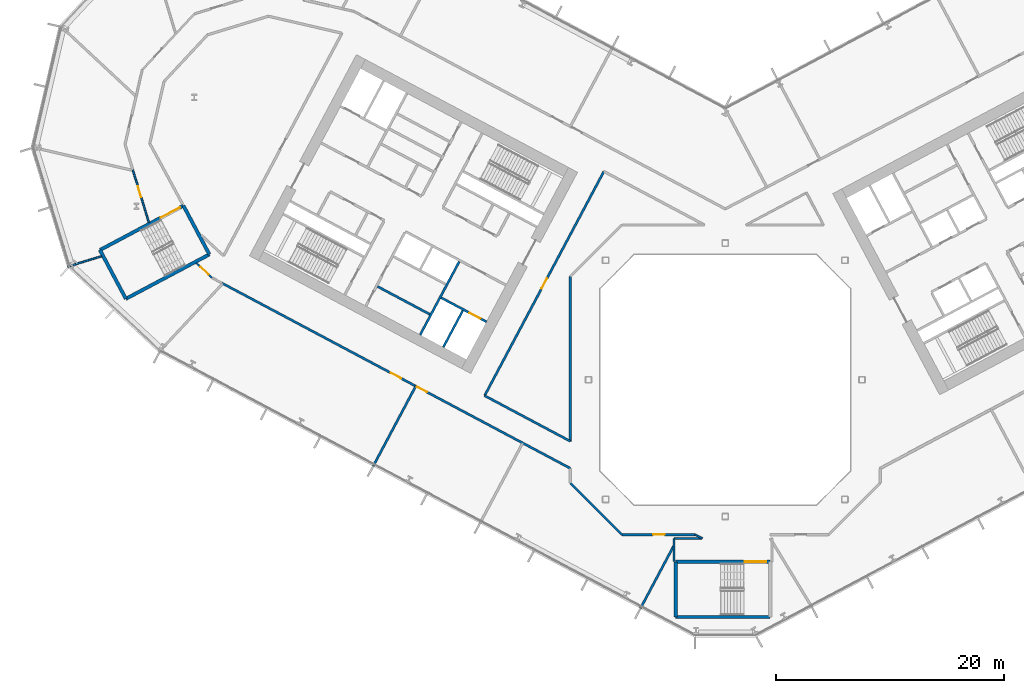
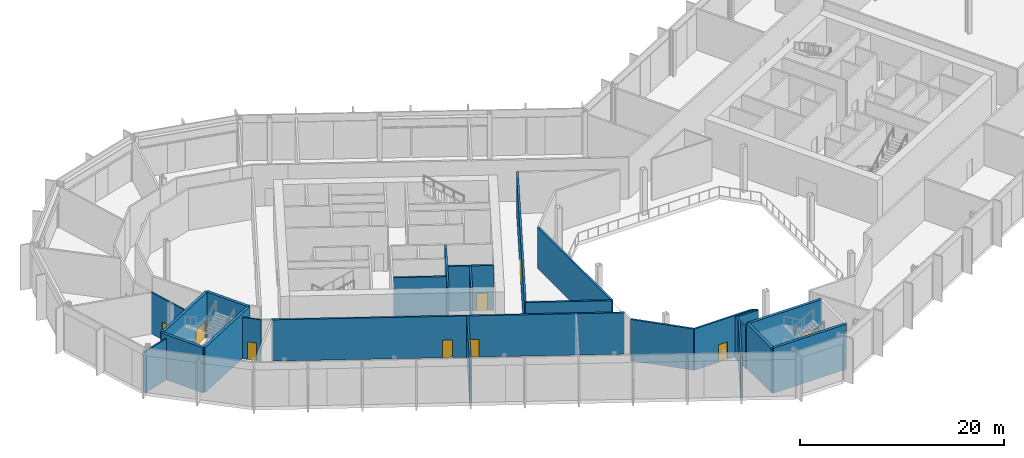
# One storey, part 12 of 31: 25 walls, 9 doors, 9 openings.
"""IFC4 building model written with IfcOpenShell, lengths in metres."""

from ifc_helpers import new_model, si_unit, direction, frame, frame_2d, origin, place, context, subcontext, project, spatial, rectangle, extrude, material, layer, layer_set, type_object, element, fill, save


model = new_model("IFC4")

# Units and contexts
model_context = context("Model", 3, precision=1e-05, world=origin(), true_north=direction((0.0, 1.0)))
body_context = subcontext(model_context, "Body", "Model", "MODEL_VIEW")
ifc_project = project(units=[si_unit("LENGTHUNIT", "METRE"), si_unit("AREAUNIT", "SQUARE_METRE"), si_unit("VOLUMEUNIT", "CUBIC_METRE"), si_unit("PLANEANGLEUNIT", "RADIAN"), si_unit("MASSUNIT", "GRAM", prefix="KILO")], contexts=[model_context])

# Site, building, storey
site_placement = place(None, origin())
site = spatial("IfcSite", under=ifc_project, at=site_placement, CompositionType="ELEMENT")
building_placement = place(site_placement, origin())
building = spatial("IfcBuilding", under=site, at=building_placement, Name="Cormorant Relay Tower", CompositionType="ELEMENT")
storey_placement = place(building_placement, frame((0.0, 0.0, 23.0)))
storey = spatial("IfcBuildingStorey", under=building, at=storey_placement, Name="L04", CompositionType="ELEMENT", Elevation=23.0)

# Walls
ifc_material_1 = material(Name="Concrete 40 MPa", Category="concrete")
ifc_layer_1 = layer(ifc_material_1, 0.199951171875)
ifc_layer_set_1 = layer_set([ifc_layer_1], Name="Core internal wall 200")
wall_type_1 = type_object("IfcWallType", Name="Core internal wall 200", PredefinedType="SOLIDWALL", material=ifc_layer_set_1)
wall_1_placement = place(storey_placement, frame((-25.936767578125, 5.74951171875, 0.0), z_axis=(0.0, 0.0, 1.0), x_axis=(-0.882934506056, 0.469496174655, 0.0)))
element("IfcWall", 1, at=wall_1_placement, inside=storey, type_object=wall_type_1, Name="L04 core A shaft and room wall", PredefinedType="SOLIDWALL", context=body_context, shape_type="SweptSolid", body=[
    extrude(rectangle(XDim=5.199951171875, YDim=0.199951171875, at=frame_2d((2.60009765625, 0.0))), origin(), (0.0, 0.0, 1.0), 5.39990234375),
])
ifc_material_2 = material(Name="Concrete 50 MPa", Category="concrete")
ifc_layer_2 = layer(ifc_material_2, 0.199951171875)
ifc_layer_set_2 = layer_set([ifc_layer_2], Name="Core shaft wall 200")
wall_type_2 = type_object("IfcWallType", Name="Core shaft wall 200", PredefinedType="SHEAR", material=ifc_layer_set_2)
wall_2_placement = place(storey_placement, frame((-23.04296875, 6.07958984375, 0.0), z_axis=(0.0, 0.0, 1.0), x_axis=(-0.469494272526, -0.882935517501, 0.0)))
element("IfcWall", 2, at=wall_2_placement, inside=storey, type_object=wall_type_2, Name="L04 core A shaft wall", PredefinedType="SHEAR", context=body_context, shape_type="SweptSolid", body=[
    extrude(rectangle(XDim=3.64990234375, YDim=0.199951171875, at=frame_2d((1.824951171875, 0.0))), origin(), (0.0, 0.0, 1.0), 5.39990234375),
])
wall_3_placement = place(storey_placement, frame((-23.360107421875, 10.38232421875, 0.0), z_axis=(0.0, 0.0, 1.0), x_axis=(-0.469480409012, -0.88294288918, 0.0)))
element("IfcWall", 3, at=wall_3_placement, inside=storey, type_object=wall_type_2, Name="L04 core A shaft wall", PredefinedType="SHEAR", context=body_context, shape_type="SweptSolid", body=[
    extrude(rectangle(XDim=7.300048828125, YDim=0.199951171875, at=frame_2d((3.64990234375, 0.0))), origin(), (0.0, 0.0, 1.0), 5.39990234375),
])

# Wall, opening, door
wall_4_placement = place(storey_placement, frame((-20.96533203125, 5.088134765625, 0.0), z_axis=(0.0, 0.0, 1.0), x_axis=(-0.882925986334, 0.469512196493, 0.0)))
wall_4 = element("IfcWall", 4, at=wall_4_placement, inside=storey, type_object=wall_type_2, Name="L04 core A shaft wall", PredefinedType="SHEAR", context=body_context, shape_type="SweptSolid", body=[
    extrude(rectangle(XDim=4.5, YDim=0.199951171875, at=frame_2d((2.25, 0.0))), origin(), (0.0, 0.0, 1.0), 5.39990234375),
])
opening_1_placement = place(wall_4_placement, frame((0.60009765625, 0.0, 0.0)))
opening_1 = element("IfcOpeningElement", 5, at=opening_1_placement, cuts=wall_4, Name="Opening LD1-019", PredefinedType="OPENING", context=body_context, shape_type="SweptSolid", body=[
    extrude(rectangle(XDim=1.10009765625, YDim=2.10009765625, at=frame_2d((0.550048828125, 1.050048828125))), frame((0.0, 0.10986328125, 0.0), z_axis=(0.0, -1.0, 0.0), x_axis=(1.0, 0.0, 0.0)), (0.0, 0.0, 1.0), 0.219970703125),
])
ifc_material_3 = material(Name="Stainless steel 316", Category="steel")
door_type_1 = type_object("IfcDoorType", Name="Lift landing door 1100x2100", OperationType="DOUBLE_DOOR_SLIDING", PredefinedType="DOOR", material=ifc_material_3)
door_1_placement = place(opening_1_placement, origin())
door_1 = element("IfcDoor", 6, at=door_1_placement, inside=storey, type_object=door_type_1, Name="FF1 landing door", OperationType="DOUBLE_DOOR_SLIDING", OverallHeight=2.10009765625, OverallWidth=1.10009765625, PredefinedType="DOOR", context=body_context, shape_type="SweptSolid", body=[
    extrude(rectangle(XDim=1.10009765625, YDim=2.10009765625, at=frame_2d((0.550048828125, 1.050048828125))), frame((0.0, 0.02490234375, 0.0), z_axis=(0.0, -1.0, 0.0), x_axis=(1.0, 0.0, 0.0)), (0.0, 0.0, 1.0), 0.050048828125),
])
fill(opening_1, door_1)

# Wall
ifc_material_4 = material(Name="Fire-rated gypsum board partition")
ifc_layer_3 = layer(ifc_material_4, 0.199951171875)
ifc_layer_set_3 = layer_set([ifc_layer_3], Name="Fire-rated gypsum partition 200")
wall_type_3 = type_object("IfcWallType", Name="Fire-rated gypsum partition 200", PredefinedType="PARTITIONING", material=ifc_layer_set_3)
wall_5_placement = place(storey_placement, frame((-27.176025390625, -0.556884765625, 0.0), z_axis=(0.0, 0.0, 1.0), x_axis=(-0.469551855795, -0.882904895625, 0.0)))
element("IfcWall", 7, at=wall_5_placement, inside=storey, type_object=wall_type_3, Name="wall/L04/part/11", PredefinedType="PARTITIONING", context=body_context, shape_type="SweptSolid", body=[
    extrude(rectangle(XDim=7.949951171875, YDim=0.199951171875, at=frame_2d((3.97509765625, 0.0))), origin(), (0.0, 0.0, 1.0), 4.949951171875),
])

# Wall, openings, doors
wall_6_placement = place(storey_placement, frame((-13.60009765625, -7.77490234375, 0.0), z_axis=(0.0, 0.0, 1.0), x_axis=(-0.882943264249, 0.469479703626, 0.0)))
wall_6 = element("IfcWall", 8, at=wall_6_placement, inside=storey, type_object=wall_type_3, Name="wall/L04/part/24", PredefinedType="PARTITIONING", context=body_context, shape_type="SweptSolid", body=[
    extrude(rectangle(XDim=34.63623046875, YDim=0.199951171875, at=frame_2d((17.318115234375, 0.0))), origin(), (0.0, 0.0, 1.0), 4.949951171875),
])
opening_2_placement = place(wall_6_placement, frame((16.85009765625, 0.0, 0.0)))
opening_2 = element("IfcOpeningElement", 9, at=opening_2_placement, cuts=wall_6, Name="Opening FD1-018", PredefinedType="OPENING", context=body_context, shape_type="SweptSolid", body=[
    extrude(rectangle(XDim=1.0, YDim=2.10009765625, at=frame_2d((0.5, 1.050048828125))), frame((0.0, 0.10986328125, 0.0), z_axis=(0.0, -1.0, 0.0), x_axis=(1.0, 0.0, 0.0)), (0.0, 0.0, 1.0), 0.219970703125),
])
opening_3_placement = place(wall_6_placement, frame((14.25, 0.0, 0.0)))
opening_3 = element("IfcOpeningElement", 10, at=opening_3_placement, cuts=wall_6, Name="Opening FD1-019", PredefinedType="OPENING", context=body_context, shape_type="SweptSolid", body=[
    extrude(rectangle(XDim=1.0, YDim=2.10009765625, at=frame_2d((0.5, 1.050048828125))), frame((0.0, 0.10986328125, 0.0), z_axis=(0.0, -1.0, 0.0), x_axis=(1.0, 0.0, 0.0)), (0.0, 0.0, 1.0), 0.219970703125),
])
ifc_material_5 = material(Name="Fire-rated steel door", Category="steel")
door_type_2 = type_object("IfcDoorType", Name="Fire door 1000 x 2100", OperationType="SINGLE_SWING_LEFT", PredefinedType="DOOR", material=ifc_material_5)
door_2_placement = place(opening_2_placement, origin())
door_2 = element("IfcDoor", 11, at=door_2_placement, inside=storey, type_object=door_type_2, Name="door/L04/21", OperationType="SINGLE_SWING_LEFT", OverallHeight=2.10009765625, OverallWidth=1.0, PredefinedType="DOOR", context=body_context, shape_type="SweptSolid", body=[
    extrude(rectangle(XDim=1.0, YDim=2.10009765625, at=frame_2d((0.5, 1.050048828125))), frame((0.0, 0.02490234375, 0.0), z_axis=(0.0, -1.0, 0.0), x_axis=(1.0, 0.0, 0.0)), (0.0, 0.0, 1.0), 0.050048828125),
])
fill(opening_2, door_2)
door_3_placement = place(opening_3_placement, origin())
door_3 = element("IfcDoor", 12, at=door_3_placement, inside=storey, type_object=door_type_2, Name="door/L04/22", OperationType="SINGLE_SWING_RIGHT", OverallHeight=2.10009765625, OverallWidth=1.0, PredefinedType="DOOR", context=body_context, shape_type="SweptSolid", body=[
    extrude(rectangle(XDim=1.0, YDim=2.10009765625, at=frame_2d((0.5, 1.050048828125))), frame((0.0, 0.02490234375, 0.0), z_axis=(0.0, -1.0, 0.0), x_axis=(1.0, 0.0, 0.0)), (0.0, 0.0, 1.0), 0.050048828125),
])
fill(opening_3, door_3)

# Wall
wall_7_placement = place(storey_placement, frame((-13.60009765625, -9.076904296875, 0.0), z_axis=(0.0, 0.0, 1.0), x_axis=(0.707106781187, -0.707106781187, 0.0)))
element("IfcWall", 13, at=wall_7_placement, inside=storey, type_object=wall_type_3, Name="wall/L04/part/37", PredefinedType="PARTITIONING", context=body_context, shape_type="SweptSolid", body=[
    extrude(rectangle(XDim=6.396728515625, YDim=0.199951171875, at=frame_2d((3.1982421875, 0.0))), origin(), (0.0, 0.0, 1.0), 4.949951171875),
])

# Wall, opening, door
wall_8_placement = place(storey_placement, frame((-9.076904296875, -13.60009765625, 0.0), z_axis=(0.0, 0.0, 1.0), x_axis=(0.999999878252, 0.000493452208, 0.0)))
wall_8 = element("IfcWall", 14, at=wall_8_placement, inside=storey, type_object=wall_type_3, Name="wall/L04/part/39", PredefinedType="PARTITIONING", context=body_context, shape_type="SweptSolid", body=[
    extrude(rectangle(XDim=6.431884765625, YDim=0.199951171875, at=frame_2d((3.2158203125, 0.0))), origin(), (0.0, 0.0, 1.0), 4.949951171875),
])
opening_4_placement = place(wall_8_placement, frame((2.75, 0.0, 0.0)))
opening_4 = element("IfcOpeningElement", 15, at=opening_4_placement, cuts=wall_8, Name="Opening FD1-020", PredefinedType="OPENING", context=body_context, shape_type="SweptSolid", body=[
    extrude(rectangle(XDim=1.0, YDim=2.10009765625, at=frame_2d((0.5, 1.050048828125))), frame((0.0, 0.10986328125, 0.0), z_axis=(0.0, -1.0, 0.0), x_axis=(1.0, 0.0, 0.0)), (0.0, 0.0, 1.0), 0.219970703125),
])
door_4_placement = place(opening_4_placement, frame((1.0, 0.0, 0.0), z_axis=(0.0, 0.0, 1.0), x_axis=(-1.0, 0.0, 0.0)))
door_4 = element("IfcDoor", 16, at=door_4_placement, inside=storey, type_object=door_type_2, Name="door/L04/23", OperationType="SINGLE_SWING_LEFT", OverallHeight=2.10009765625, OverallWidth=1.0, PredefinedType="DOOR", context=body_context, shape_type="SweptSolid", body=[
    extrude(rectangle(XDim=1.0, YDim=2.10009765625, at=frame_2d((0.5, 1.050048828125))), frame((0.0, 0.02490234375, 0.0), z_axis=(0.0, -1.0, 0.0), x_axis=(1.0, 0.0, 0.0)), (0.0, 0.0, 1.0), 0.050048828125),
])
fill(opening_4, door_4)

# Walls
wall_9_placement = place(storey_placement, frame((-2.02197265625, -13.927978515625, 0.0), z_axis=(0.0, 0.0, 1.0), x_axis=(-0.999999301124, 0.001182265184, 0.0)))
element("IfcWall", 17, at=wall_9_placement, inside=storey, type_object=wall_type_3, Name="wall/L04/part/41", PredefinedType="PARTITIONING", context=body_context, shape_type="SweptSolid", body=[
    extrude(rectangle(XDim=2.47802734375, YDim=0.199951171875, at=frame_2d((1.239013671875, 0.0))), origin(), (0.0, 0.0, 1.0), 4.949951171875),
])
wall_10_placement = place(storey_placement, frame((-4.5, -13.925048828125, 0.0), z_axis=(0.0, 0.0, 1.0), x_axis=(0.0, -1.0, 0.0)))
element("IfcWall", 18, at=wall_10_placement, inside=storey, type_object=wall_type_3, Name="wall/L04/part/42", PredefinedType="PARTITIONING", context=body_context, shape_type="SweptSolid", body=[
    extrude(rectangle(XDim=2.050048828125, YDim=0.199951171875, at=frame_2d((1.02490234375, 0.0))), origin(), (0.0, 0.0, 1.0), 4.949951171875),
])
wall_11_placement = place(storey_placement, frame((-4.5, -14.532958984375, 0.0), z_axis=(0.0, 0.0, 1.0), x_axis=(-0.469522352041, -0.882920585859, 0.0)))
element("IfcWall", 19, at=wall_11_placement, inside=storey, type_object=wall_type_3, Name="wall/L04/part/43", PredefinedType="PARTITIONING", context=body_context, shape_type="SweptSolid", body=[
    extrude(rectangle(XDim=6.25537109375, YDim=0.199951171875, at=frame_2d((3.127685546875, 0.0))), origin(), (0.0, 0.0, 1.0), 4.949951171875),
])

# Wall, opening, door
wall_12_placement = place(storey_placement, frame((-21.1279296875, -1.39404296875, 0.0), z_axis=(0.0, 0.0, 1.0), x_axis=(0.46951219964, 0.882925984661, 0.0)))
wall_12 = element("IfcWall", 20, at=wall_12_placement, inside=storey, type_object=wall_type_3, Name="wall/L04/part/75", PredefinedType="PARTITIONING", context=body_context, shape_type="SweptSolid", body=[
    extrude(rectangle(XDim=22.299560546875, YDim=0.199951171875, at=frame_2d((11.14990234375, 0.0))), origin(), (0.0, 0.0, 1.0), 4.949951171875),
])
opening_5_placement = place(wall_12_placement, frame((10.64990234375, 0.0, 0.0)))
opening_5 = element("IfcOpeningElement", 21, at=opening_5_placement, cuts=wall_12, Name="Opening FD1-017", PredefinedType="OPENING", context=body_context, shape_type="SweptSolid", body=[
    extrude(rectangle(XDim=1.0, YDim=2.10009765625, at=frame_2d((0.5, 1.050048828125))), frame((0.0, 0.10986328125, 0.0), z_axis=(0.0, -1.0, 0.0), x_axis=(1.0, 0.0, 0.0)), (0.0, 0.0, 1.0), 0.219970703125),
])
door_5_placement = place(opening_5_placement, frame((1.0, 0.0, 0.0), z_axis=(0.0, 0.0, 1.0), x_axis=(-1.0, 0.0, 0.0)))
door_5 = element("IfcDoor", 22, at=door_5_placement, inside=storey, type_object=door_type_2, Name="door/L04/2", OperationType="SINGLE_SWING_LEFT", OverallHeight=2.10009765625, OverallWidth=1.0, PredefinedType="DOOR", context=body_context, shape_type="SweptSolid", body=[
    extrude(rectangle(XDim=1.0, YDim=2.10009765625, at=frame_2d((0.5, 1.050048828125))), frame((0.0, 0.02490234375, 0.0), z_axis=(0.0, -1.0, 0.0), x_axis=(1.0, 0.0, 0.0)), (0.0, 0.0, 1.0), 0.050048828125),
])
fill(opening_5, door_5)

# Walls
wall_13_placement = place(storey_placement, frame((-13.60009765625, 9.076904296875, 0.0), z_axis=(0.0, 0.0, 1.0), x_axis=(0.0, -1.0, 0.0)))
element("IfcWall", 23, at=wall_13_placement, inside=storey, type_object=wall_type_3, Name="wall/L04/part/79", PredefinedType="PARTITIONING", context=body_context, shape_type="SweptSolid", body=[
    extrude(rectangle(XDim=14.473876953125, YDim=0.199951171875, at=frame_2d((7.23681640625, 0.0))), origin(), (0.0, 0.0, 1.0), 4.949951171875),
])
wall_14_placement = place(storey_placement, frame((-13.60009765625, -5.39697265625, 0.0), z_axis=(0.0, 0.0, 1.0), x_axis=(-0.882932501381, 0.469499944627, 0.0)))
element("IfcWall", 24, at=wall_14_placement, inside=storey, type_object=wall_type_3, Name="wall/L04/part/80", PredefinedType="PARTITIONING", context=body_context, shape_type="SweptSolid", body=[
    extrude(rectangle(XDim=8.52587890625, YDim=0.199951171875, at=frame_2d((4.262939453125, 0.0))), origin(), (0.0, 0.0, 1.0), 4.949951171875),
])
ifc_material_6 = material(Name="Gypsum board partition")
ifc_layer_4 = layer(ifc_material_6, 0.14990234375)
ifc_layer_set_4 = layer_set([ifc_layer_4], Name="Gypsum board partition 150")
wall_type_4 = type_object("IfcWallType", Name="Gypsum board partition 150", PredefinedType="PARTITIONING", material=ifc_layer_set_4)
wall_15_placement = place(storey_placement, frame((-54.7607421875, 10.847900390625, 0.0), z_axis=(0.0, 0.0, 1.0), x_axis=(-0.956301064033, -0.29238378021, 0.0)))
element("IfcWall", 25, at=wall_15_placement, inside=storey, type_object=wall_type_4, Name="wall/L04/part/3", PredefinedType="PARTITIONING", context=body_context, shape_type="SweptSolid", body=[
    extrude(rectangle(XDim=3.115478515625, YDim=0.14990234375, at=frame_2d((1.5576171875, 0.0))), origin(), (0.0, 0.0, 1.0), 4.949951171875),
])

# Wall, opening, door
wall_16_placement = place(storey_placement, frame((-50.609619140625, 13.82861328125, 0.0), z_axis=(0.0, 0.0, 1.0), x_axis=(-0.292136082749, 0.956376761092, 0.0)))
wall_16 = element("IfcWall", 26, at=wall_16_placement, inside=storey, type_object=wall_type_4, Name="wall/L04/part/6", PredefinedType="PARTITIONING", context=body_context, shape_type="SweptSolid", body=[
    extrude(rectangle(XDim=4.814453125, YDim=0.14990234375, at=frame_2d((2.4072265625, 0.0))), origin(), (0.0, 0.0, 1.0), 4.949951171875),
])
opening_6_placement = place(wall_16_placement, frame((2.31494140625, 0.0, 0.0)))
opening_6 = element("IfcOpeningElement", 27, at=opening_6_placement, cuts=wall_16, Name="Opening D1-014", PredefinedType="OPENING", context=body_context, shape_type="SweptSolid", body=[
    extrude(rectangle(XDim=1.0, YDim=2.10009765625, at=frame_2d((0.5, 1.050048828125))), frame((0.0, 0.0849609375, 0.0), z_axis=(0.0, -1.0, 0.0), x_axis=(1.0, 0.0, 0.0)), (0.0, 0.0, 1.0), 0.169921875),
])
ifc_material_7 = material(Name="Painted steel door", Category="steel")
door_type_3 = type_object("IfcDoorType", Name="Single door 1000 x 2100", OperationType="SINGLE_SWING_LEFT", PredefinedType="DOOR", material=ifc_material_7)
door_6_placement = place(opening_6_placement, origin())
door_6 = element("IfcDoor", 28, at=door_6_placement, inside=storey, type_object=door_type_3, Name="door/L04/19", OperationType="SINGLE_SWING_RIGHT", OverallHeight=2.10009765625, OverallWidth=1.0, PredefinedType="DOOR", context=body_context, shape_type="SweptSolid", body=[
    extrude(rectangle(XDim=1.0, YDim=2.10009765625, at=frame_2d((0.5, 1.050048828125))), frame((0.0, 0.02490234375, 0.0), z_axis=(0.0, -1.0, 0.0), x_axis=(1.0, 0.0, 0.0)), (0.0, 0.0, 1.0), 0.050048828125),
])
fill(opening_6, door_6)

wall_17_placement = place(storey_placement, frame((-45.052001953125, 8.947998046875, 0.0), z_axis=(0.0, 0.0, 1.0), x_axis=(-0.731400259701, 0.681948429215, 0.0)))
wall_17 = element("IfcWall", 29, at=wall_17_placement, inside=storey, type_object=wall_type_4, Name="wall/L04/part/22", PredefinedType="PARTITIONING", context=body_context, shape_type="SweptSolid", body=[
    extrude(rectangle(XDim=1.90576171875, YDim=0.14990234375, at=frame_2d((0.952880859375, 0.0))), origin(), (0.0, 0.0, 1.0), 4.949951171875),
])
opening_7_placement = place(wall_17_placement, frame((0.449951171875, 0.0, 0.0)))
opening_7 = element("IfcOpeningElement", 30, at=opening_7_placement, cuts=wall_17, Name="Opening D2-004", PredefinedType="OPENING", context=body_context, shape_type="SweptSolid", body=[
    extrude(rectangle(XDim=0.949951171875, YDim=2.10009765625, at=frame_2d((0.47509765625, 1.050048828125))), frame((0.0, 0.0849609375, 0.0), z_axis=(0.0, -1.0, 0.0), x_axis=(1.0, 0.0, 0.0)), (0.0, 0.0, 1.0), 0.169921875),
])
ifc_material_8 = material(Name="Timber door", Category="wood")
door_type_4 = type_object("IfcDoorType", Name="Toilet door 950 x 2100", OperationType="SINGLE_SWING_LEFT", PredefinedType="DOOR", material=ifc_material_8)
door_7_placement = place(opening_7_placement, origin())
door_7 = element("IfcDoor", 31, at=door_7_placement, inside=storey, type_object=door_type_4, Name="door/L04/20", OperationType="SINGLE_SWING_RIGHT", OverallHeight=2.10009765625, OverallWidth=0.949951171875, PredefinedType="DOOR", context=body_context, shape_type="SweptSolid", body=[
    extrude(rectangle(XDim=0.949951171875, YDim=2.10009765625, at=frame_2d((0.47509765625, 1.050048828125))), frame((0.0, 0.02490234375, 0.0), z_axis=(0.0, -1.0, 0.0), x_axis=(1.0, 0.0, 0.0)), (0.0, 0.0, 1.0), 0.050048828125),
])
fill(opening_7, door_7)

# Walls
wall_18_placement = place(storey_placement, frame((-2.64501953125, -13.596923828125, 0.0), z_axis=(0.0, 0.0, 1.0), x_axis=(0.883079874776, -0.469222692083, 0.0)))
element("IfcWall", 32, at=wall_18_placement, inside=storey, type_object=wall_type_4, Name="wall/L04/part/40", PredefinedType="PARTITIONING", context=body_context, shape_type="SweptSolid", body=[
    extrude(rectangle(XDim=0.70556640625, YDim=0.14990234375, at=frame_2d((0.352783203125, 0.0))), origin(), (0.0, 0.0, 1.0), 4.949951171875),
])
ifc_material_9 = material(Name="Concrete 50 MPa", Category="concrete")
ifc_layer_5 = layer(ifc_material_9, 0.300048828125)
ifc_layer_set_5 = layer_set([ifc_layer_5], Name="Remote stair wall 300")
wall_type_5 = type_object("IfcWallType", Name="Remote stair wall 300", PredefinedType="SHEAR", material=ifc_layer_set_5)
wall_19_placement = place(storey_placement, frame((3.949951171875, -20.824951171875, 0.0), z_axis=(0.0, 0.0, 1.0), x_axis=(-1.0, 0.0, 0.0)))
element("IfcWall", 33, at=wall_19_placement, inside=storey, type_object=wall_type_5, Name="L04 exit stair RK1 wall", PredefinedType="SHEAR", context=body_context, shape_type="SweptSolid", body=[
    extrude(rectangle(XDim=8.300048828125, YDim=0.300048828125, at=frame_2d((4.14990234375, 0.0))), origin(), (0.0, 0.0, 1.0), 5.39990234375),
])
wall_20_placement = place(storey_placement, frame((-4.35009765625, -20.824951171875, 0.0), z_axis=(0.0, 0.0, 1.0), x_axis=(0.0, 1.0, 0.0)))
element("IfcWall", 34, at=wall_20_placement, inside=storey, type_object=wall_type_5, Name="L04 exit stair RK1 wall", PredefinedType="SHEAR", context=body_context, shape_type="SweptSolid", body=[
    extrude(rectangle(XDim=4.849853515625, YDim=0.300048828125, at=frame_2d((2.4248046875, 0.0))), origin(), (0.0, 0.0, 1.0), 5.39990234375),
])

# Wall, opening, door
wall_21_placement = place(storey_placement, frame((-4.35009765625, -15.97509765625, 0.0), z_axis=(0.0, 0.0, 1.0), x_axis=(1.0, 0.0, 0.0)))
wall_21 = element("IfcWall", 35, at=wall_21_placement, inside=storey, type_object=wall_type_5, Name="L04 exit stair RK1 wall", PredefinedType="SHEAR", context=body_context, shape_type="SweptSolid", body=[
    extrude(rectangle(XDim=8.300048828125, YDim=0.300048828125, at=frame_2d((4.14990234375, 0.0))), origin(), (0.0, 0.0, 1.0), 5.39990234375),
])
opening_8_placement = place(wall_21_placement, frame((6.050048828125, 0.0, 0.0)))
opening_8 = element("IfcOpeningElement", 36, at=opening_8_placement, cuts=wall_21, Name="Opening CDE-006", PredefinedType="OPENING", context=body_context, shape_type="SweptSolid", body=[
    extrude(rectangle(XDim=1.89990234375, YDim=2.10009765625, at=frame_2d((0.949951171875, 1.050048828125))), frame((0.0, 0.159912109375, 0.0), z_axis=(0.0, -1.0, 0.0), x_axis=(1.0, 0.0, 0.0)), (0.0, 0.0, 1.0), 0.320068359375),
])
ifc_material_10 = material(Name="Steel fire door", Category="steel")
door_type_5 = type_object("IfcDoorType", Name="Remote stair door 1900x2100", OperationType="DOUBLE_DOOR_SINGLE_SWING", PredefinedType="DOOR", material=ifc_material_10)
door_8_placement = place(opening_8_placement, frame((1.89990234375, 0.0, 0.0), z_axis=(0.0, 0.0, 1.0), x_axis=(-1.0, 0.0, 0.0)))
door_8 = element("IfcDoor", 37, at=door_8_placement, inside=storey, type_object=door_type_5, Name="Exit stair RK1 door", OperationType="DOUBLE_DOOR_SINGLE_SWING", OverallHeight=2.10009765625, OverallWidth=1.89990234375, PredefinedType="DOOR", context=body_context, shape_type="SweptSolid", body=[
    extrude(rectangle(XDim=1.89990234375, YDim=2.10009765625, at=frame_2d((0.949951171875, 1.050048828125))), frame((0.0, 0.02490234375, 0.0), z_axis=(0.0, -1.0, 0.0), x_axis=(1.0, 0.0, 0.0)), (0.0, 0.0, 1.0), 0.050048828125),
])
fill(opening_8, door_8)

# Walls
wall_22_placement = place(storey_placement, frame((-47.57421875, 15.28955078125, 0.0), z_axis=(0.0, 0.0, 1.0), x_axis=(0.469443498566, -0.882962514297, 0.0)))
element("IfcWall", 38, at=wall_22_placement, inside=storey, type_object=wall_type_5, Name="L04 exit stair RP1 wall", PredefinedType="SHEAR", context=body_context, shape_type="SweptSolid", body=[
    extrude(rectangle(XDim=4.85009765625, YDim=0.300048828125, at=frame_2d((2.425048828125, 0.0))), origin(), (0.0, 0.0, 1.0), 5.39990234375),
])
wall_23_placement = place(storey_placement, frame((-45.29736328125, 11.007080078125, 0.0), z_axis=(0.0, 0.0, 1.0), x_axis=(-0.882951519127, -0.469464178475, 0.0)))
element("IfcWall", 39, at=wall_23_placement, inside=storey, type_object=wall_type_5, Name="L04 exit stair RP1 wall", PredefinedType="SHEAR", context=body_context, shape_type="SweptSolid", body=[
    extrude(rectangle(XDim=8.2998046875, YDim=0.300048828125, at=frame_2d((4.14990234375, 0.0))), origin(), (0.0, 0.0, 1.0), 5.39990234375),
])
wall_24_placement = place(storey_placement, frame((-52.625732421875, 7.110595703125, 0.0), z_axis=(0.0, 0.0, 1.0), x_axis=(-0.469464364128, 0.882951420416, 0.0)))
element("IfcWall", 40, at=wall_24_placement, inside=storey, type_object=wall_type_5, Name="L04 exit stair RP1 wall", PredefinedType="SHEAR", context=body_context, shape_type="SweptSolid", body=[
    extrude(rectangle(XDim=4.849853515625, YDim=0.300048828125, at=frame_2d((2.4248046875, 0.0))), origin(), (0.0, 0.0, 1.0), 5.39990234375),
])

# Wall, opening, door
wall_25_placement = place(storey_placement, frame((-54.902587890625, 11.392822265625, 0.0), z_axis=(0.0, 0.0, 1.0), x_axis=(0.882939326045, 0.469487110071, 0.0)))
wall_25 = element("IfcWall", 41, at=wall_25_placement, inside=storey, type_object=wall_type_5, Name="L04 exit stair RP1 wall", PredefinedType="SHEAR", context=body_context, shape_type="SweptSolid", body=[
    extrude(rectangle(XDim=8.300048828125, YDim=0.300048828125, at=frame_2d((4.14990234375, 0.0))), origin(), (0.0, 0.0, 1.0), 5.39990234375),
])
opening_9_placement = place(wall_25_placement, frame((6.050048828125, 0.0, 0.0)))
opening_9 = element("IfcOpeningElement", 42, at=opening_9_placement, cuts=wall_25, Name="Opening CDE-007", PredefinedType="OPENING", context=body_context, shape_type="SweptSolid", body=[
    extrude(rectangle(XDim=1.89990234375, YDim=2.10009765625, at=frame_2d((0.949951171875, 1.050048828125))), frame((0.0, 0.159912109375, 0.0), z_axis=(0.0, -1.0, 0.0), x_axis=(1.0, 0.0, 0.0)), (0.0, 0.0, 1.0), 0.320068359375),
])
door_9_placement = place(opening_9_placement, frame((1.89990234375, 0.0, 0.0), z_axis=(0.0, 0.0, 1.0), x_axis=(-1.0, 0.0, 0.0)))
door_9 = element("IfcDoor", 43, at=door_9_placement, inside=storey, type_object=door_type_5, Name="Exit stair RP1 door", OperationType="DOUBLE_DOOR_SINGLE_SWING", OverallHeight=2.10009765625, OverallWidth=1.89990234375, PredefinedType="DOOR", context=body_context, shape_type="SweptSolid", body=[
    extrude(rectangle(XDim=1.89990234375, YDim=2.10009765625, at=frame_2d((0.949951171875, 1.050048828125))), frame((0.0, 0.02490234375, 0.0), z_axis=(0.0, -1.0, 0.0), x_axis=(1.0, 0.0, 0.0)), (0.0, 0.0, 1.0), 0.050048828125),
])
fill(opening_9, door_9)

save(model, "model.ifc")
